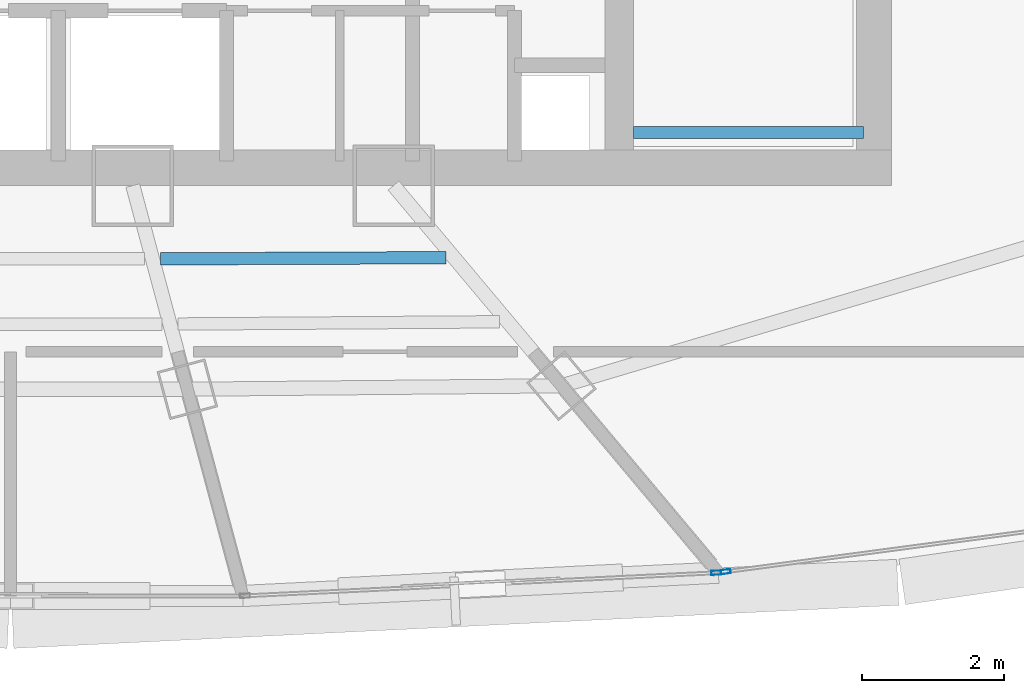
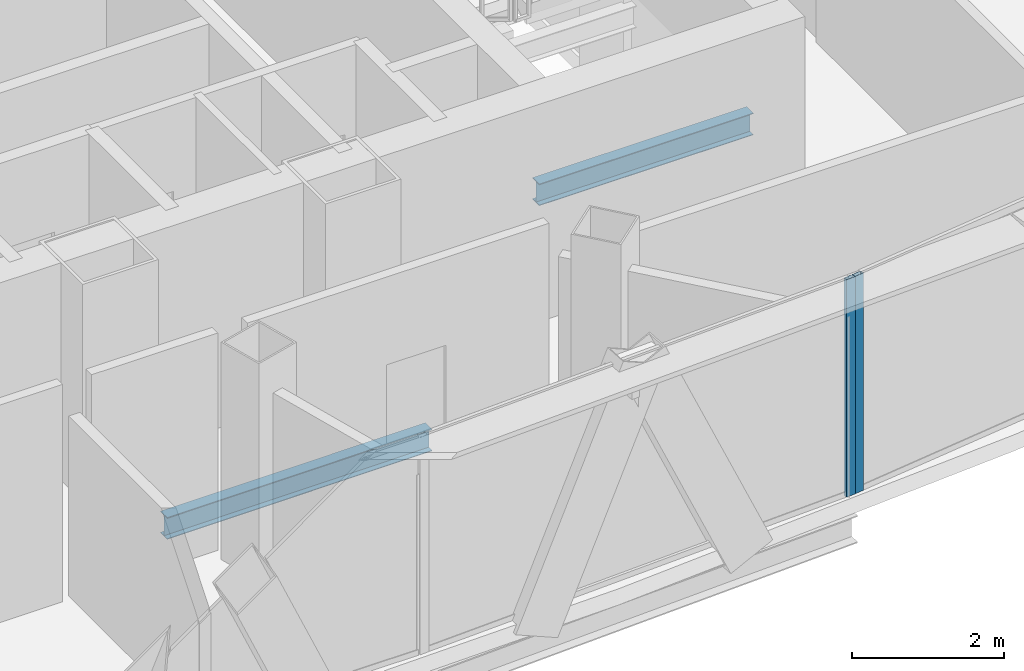
# One storey, part 11 of 26: 2 beams, 2 members, 2 elements without a shape of their own.
"""IFC4 building model written with IfcOpenShell, lengths in metres."""

import ifcopenshell
import ifcopenshell.guid

model = None  # the IFC model being written
_history = None  # IfcOwnerHistory: only IFC2X3 demands one
_inside = {}  # id of a spatial element -> (the spatial element, [elements in it])
_under = {}  # id of a project, library or spatial element -> (it, [spatial elements below it])
_declared = {}  # id of a project -> (the project, [libraries it declares])
_typed = {}  # id of a type object -> (the type object, [elements of that type])
_made_of = {}  # id of a material, layer set ... -> (it, [elements and type objects made of it])


def new_model(schema):
    """Start an empty IFC model of exactly this schema.

    Asked for "IFC4X3", IfcOpenShell would pick the latest addendum, in which some entities
    have other attributes; the version numbers below select the first issue.
    IFC2X3 requires an IfcOwnerHistory on every rooted entity: one is made here for all.
    """
    global model, _history
    if schema == "IFC4X3":
        model = ifcopenshell.file(schema_version=(4, 3, 0, 0))
    else:
        model = ifcopenshell.file(schema=schema)
    _inside.clear()
    _under.clear()
    _declared.clear()
    _typed.clear()
    _made_of.clear()
    _history = None
    if model.schema == "IFC2X3":
        org = make("IfcOrganization", Name="unknown")
        user = make(
            "IfcPersonAndOrganization",
            ThePerson=make("IfcPerson", FamilyName="unknown"),
            TheOrganization=org,
        )
        app = make(
            "IfcApplication",
            ApplicationDeveloper=org,
            Version="unknown",
            ApplicationFullName="unknown",
            ApplicationIdentifier="unknown",
        )
        _history = make(
            "IfcOwnerHistory",
            OwningUser=user,
            OwningApplication=app,
            ChangeAction="ADDED",
            CreationDate=0,
        )
    return model


def make(cls, **values):
    """One entity of the class cls with the attributes given. An attribute that is None is left unset."""
    return model.create_entity(
        cls, **{name: value for name, value in values.items() if value is not None}
    )


def rooted(cls, **values):
    """An entity with a GlobalId (a new one), such as an element, a storey or a relation."""
    return make(cls, GlobalId=ifcopenshell.guid.new(), OwnerHistory=_history, **values)


def si_unit(unit_type, name, prefix=None):
    """IfcSIUnit, for example si_unit("LENGTHUNIT", "METRE", prefix="MILLI")."""
    return make("IfcSIUnit", UnitType=unit_type, Prefix=prefix, Name=name)


def assignment(units):
    """IfcUnitAssignment: the units of a project."""
    return None if units is None else make("IfcUnitAssignment", Units=units)


def point(xyz):
    """IfcCartesianPoint."""
    return None if xyz is None else make("IfcCartesianPoint", Coordinates=xyz)


def direction(xyz):
    """IfcDirection."""
    return None if xyz is None else make("IfcDirection", DirectionRatios=xyz)


def frame(location, z_axis=None, x_axis=None):
    """IfcAxis2Placement3D, a coordinate frame: its origin and axes. An axis left out is left unset."""
    return make(
        "IfcAxis2Placement3D",
        Location=point(location),
        Axis=direction(z_axis),
        RefDirection=direction(x_axis),
    )


def frame_2d(location, x_axis=None):
    """IfcAxis2Placement2D, a coordinate frame in the plane: its origin and x axis."""
    return make(
        "IfcAxis2Placement2D", Location=point(location), RefDirection=direction(x_axis)
    )


def origin():
    """The frame at (0, 0, 0) with its axes left unset."""
    return frame((0.0, 0.0, 0.0))


def origin_2d():
    """The frame at (0, 0) in the plane with its x axis left unset."""
    return frame_2d((0.0, 0.0))


def place(relative_to, where):
    """IfcLocalPlacement: puts the frame where relative to a parent placement (None: the world)."""
    return make(
        "IfcLocalPlacement", PlacementRelTo=relative_to, RelativePlacement=where
    )


def context(
    kind, dimensions, precision=None, world=None, true_north=None, identifier=None
):
    """IfcGeometricRepresentationContext, for example the 3D "Model" context."""
    return make(
        "IfcGeometricRepresentationContext",
        ContextIdentifier=identifier,
        ContextType=kind,
        CoordinateSpaceDimension=dimensions,
        Precision=precision,
        WorldCoordinateSystem=world,
        TrueNorth=true_north,
    )


def subcontext(parent, identifier, kind, view, scale=None):
    """IfcGeometricRepresentationSubContext, for example "Body" below "Model"."""
    return make(
        "IfcGeometricRepresentationSubContext",
        ContextIdentifier=identifier,
        ContextType=kind,
        ParentContext=parent,
        TargetScale=scale,
        TargetView=view,
    )


def project(units=None, contexts=None):
    """IfcProject with its units and contexts."""
    return rooted(
        "IfcProject",
        Name="project",
        RepresentationContexts=contexts,
        UnitsInContext=assignment(units),
    )


def spatial(cls, under=None, at=None, **own):
    """A site, building, storey or space (cls), placed at a placement, below another one or the project."""
    s = rooted(cls, ObjectPlacement=at, **own)
    if under is not None:
        _under.setdefault(under.id(), (under, []))[1].append(s)
    return s


def profile(cls, at=None, kind="AREA", **sizes):
    """A parametric profile (cls). Its sizes go by their IFC names, for example OverallWidth=200.0."""
    return make(cls, ProfileType=kind, Position=at, **sizes)


def hollow_rectangle(**sizes):
    """IfcRectangleHollowProfileDef."""
    return profile("IfcRectangleHollowProfileDef", **sizes)


def i_section(**sizes):
    """IfcIShapeProfileDef."""
    return profile("IfcIShapeProfileDef", **sizes)


def extrude(swept, where, along, depth):
    """IfcExtrudedAreaSolid: the profile swept, set in the frame where, extruded along a direction by depth."""
    return make(
        "IfcExtrudedAreaSolid",
        SweptArea=swept,
        Position=where,
        ExtrudedDirection=direction(along),
        Depth=depth,
    )


def shape(context_of_items, identifier, shape_type, items):
    """IfcShapeRepresentation: the items that make up one representation, for example the "Body"."""
    return make(
        "IfcShapeRepresentation",
        ContextOfItems=context_of_items,
        RepresentationIdentifier=identifier,
        RepresentationType=shape_type,
        Items=items,
    )


def source(mapping_origin, context_of_items, identifier, shape_type, items):
    """IfcRepresentationMap: a shape defined once, which mapped items show again and again."""
    return make(
        "IfcRepresentationMap",
        MappingOrigin=mapping_origin,
        MappedRepresentation=shape(context_of_items, identifier, shape_type, items),
    )


def transform(
    local_origin,
    x_axis=None,
    y_axis=None,
    z_axis=None,
    scale=None,
    scale2=None,
    scale3=None,
    uniform=True,
):
    """IfcCartesianTransformationOperator3D, or its non-uniform kind. x_axis, y_axis, z_axis: its Axis1, 2, 3."""
    if uniform:
        return make(
            "IfcCartesianTransformationOperator3D",
            Axis1=direction(x_axis),
            Axis2=direction(y_axis),
            LocalOrigin=point(local_origin),
            Scale=scale,
            Axis3=direction(z_axis),
        )
    return make(
        "IfcCartesianTransformationOperator3DnonUniform",
        Axis1=direction(x_axis),
        Axis2=direction(y_axis),
        LocalOrigin=point(local_origin),
        Scale=scale,
        Axis3=direction(z_axis),
        Scale2=scale2,
        Scale3=scale3,
    )


def mapped(mapping_source, mapping_target):
    """IfcMappedItem: shows the shape of a source again, moved by a transform."""
    return make(
        "IfcMappedItem", MappingSource=mapping_source, MappingTarget=mapping_target
    )


def material(Name=None, Category=None):
    """IfcMaterial."""
    return make("IfcMaterial", Name=Name, Category=Category)


def layer(
    of_material, thickness, ventilated=None, Name=None, Category=None, Priority=None
):
    """IfcMaterialLayer: one layer of a wall or slab, of a material (None: an air gap)."""
    return make(
        "IfcMaterialLayer",
        Material=of_material,
        LayerThickness=thickness,
        IsVentilated=ventilated,
        Name=Name,
        Category=Category,
        Priority=Priority,
    )


def layer_set(layers, Name=None):
    """IfcMaterialLayerSet."""
    return make("IfcMaterialLayerSet", MaterialLayers=layers, LayerSetName=Name)


def material_profile(
    of_material, cross_section, Name=None, Category=None, Priority=None
):
    """IfcMaterialProfile: a cross section and its material."""
    return make(
        "IfcMaterialProfile",
        Name=Name,
        Material=of_material,
        Profile=cross_section,
        Priority=Priority,
        Category=Category,
    )


def profile_set(profiles, Name=None, composite=None):
    """IfcMaterialProfileSet."""
    return make(
        "IfcMaterialProfileSet",
        Name=Name,
        MaterialProfiles=profiles,
        CompositeProfile=composite,
    )


def made_of(thing, what):
    """Note that an element or type object is made of a material, layer set ...; save() writes the relation."""
    if what is not None:
        _made_of.setdefault(what.id(), (what, []))[1].append(thing)
    return thing


def type_object(cls, material=None, **own):
    """A type object (cls), such as IfcWallType, which elements share."""
    return made_of(rooted(cls, **own), material)


def element(
    cls,
    number,
    at=None,
    inside=None,
    cuts=None,
    type_object=None,
    material=None,
    context=None,
    identifier="Body",
    shape_type=None,
    held_by="IfcProductDefinitionShape",
    body=None,
    shapes=None,
    **own,
):
    """One element of the class cls, such as IfcWall. Its Tag is "e" and its number.

    at: its placement. inside: the storey or other place that contains it. cuts: it is an
    opening in that element (IfcRelVoidsElement). A single representation is given by context,
    identifier, shape_type and body (its items); several are given by shapes. held_by: the class
    of the entity that holds the representations. save() writes the other relations.
    """
    e = rooted(cls, Tag="e%d" % number, ObjectPlacement=at, **own)
    if body is not None:
        shapes = [shape(context, identifier, shape_type, body)]
    if shapes is not None:
        e.Representation = make(held_by, Representations=shapes)
    if inside is not None:
        _inside.setdefault(inside.id(), (inside, []))[1].append(e)
    if cuts is not None:
        rooted(
            "IfcRelVoidsElement", RelatingBuildingElement=cuts, RelatedOpeningElement=e
        )
    if type_object is not None:
        _typed.setdefault(type_object.id(), (type_object, []))[1].append(e)
    return made_of(e, material)


def aggregate(whole, parts):
    """IfcRelAggregates: a whole, such as a stair, and the parts it consists of."""
    return rooted("IfcRelAggregates", RelatingObject=whole, RelatedObjects=parts)


def save(model, path):
    """Write the relations noted so far, then the file.

    IfcRelAggregates (storeys below a building ...), IfcRelContainedInSpatialStructure (elements
    in a storey), IfcRelDefinesByType, IfcRelAssociatesMaterial and IfcRelDeclares: one each for
    every whole, place, type object, material and project.
    """
    for whole, parts in _under.values():
        aggregate(whole, parts)
    for where, things in _inside.values():
        rooted(
            "IfcRelContainedInSpatialStructure",
            RelatedElements=things,
            RelatingStructure=where,
        )
    for kind, things in _typed.values():
        rooted("IfcRelDefinesByType", RelatedObjects=things, RelatingType=kind)
    for what, things in _made_of.values():
        rooted("IfcRelAssociatesMaterial", RelatedObjects=things, RelatingMaterial=what)
    for by, libraries in _declared.values():
        rooted("IfcRelDeclares", RelatingContext=by, RelatedDefinitions=libraries)
    model.write(path)


model = new_model("IFC4")

# Units and contexts
model_context = context("Model", 3, precision=1e-05, world=origin(), true_north=direction((0.0, 1.0)))
body_context = subcontext(model_context, "Body", "Model", "MODEL_VIEW")
ifc_project = project(units=[si_unit("LENGTHUNIT", "METRE"), si_unit("AREAUNIT", "SQUARE_METRE"), si_unit("VOLUMEUNIT", "CUBIC_METRE"), si_unit("PLANEANGLEUNIT", "RADIAN"), si_unit("MASSUNIT", "GRAM", prefix="KILO"), si_unit("THERMODYNAMICTEMPERATUREUNIT", "KELVIN"), si_unit("POWERUNIT", "WATT")], contexts=[model_context])

# Site, building, storey
site_placement = place(None, origin())
site = spatial("IfcSite", under=ifc_project, at=site_placement, CompositionType="ELEMENT")
building_placement = place(site_placement, origin())
building = spatial("IfcBuilding", under=site, at=building_placement, Name="Yunzhuo Pagoda Commons", CompositionType="ELEMENT")
storey_placement = place(building_placement, frame((0.0, 0.0, 340.510009765625)))
storey = spatial("IfcBuildingStorey", under=building, at=storey_placement, Name="L85", CompositionType="ELEMENT", Elevation=340.510009765625)

# Beams
ifc_material_1 = material(Name="Structural steel Q355B", Category="steel")
ifc_material_profile_1 = material_profile(ifc_material_1, i_section(OverallWidth=0.175048828125, OverallDepth=0.35009765625, WebThickness=0.007080078125, FlangeThickness=0.010986328125, at=origin_2d()), Name="Structural steel Q355B")
ifc_profile_set_1 = profile_set([ifc_material_profile_1], Name="Structural steel Q355B")
beam_type = type_object("IfcBeamType", Name="B-JS2 Joist HN 350x175x7x11", PredefinedType="JOIST", material=ifc_profile_set_1)
shared_shape_1 = source(origin(), body_context, "Body", "SweptSolid", [
    extrude(i_section(OverallWidth=0.175048828125, OverallDepth=0.35009765625, WebThickness=0.007080078125, FlangeThickness=0.010986328125, at=origin_2d()), origin(), (0.0, 0.0, 1.0), 3.25),
])
beam_1_placement = place(storey_placement, frame((56.800048828125, 28.0, 1.5), z_axis=(1.0, 0.0, 0.0), x_axis=(0.0, 1.0, 0.0)))
element("IfcBeam", 1, at=beam_1_placement, inside=storey, type_object=beam_type, Name="L85 ST2 landing support beam 91A", PredefinedType="JOIST", context=body_context, shape_type="MappedRepresentation", body=[
    mapped(shared_shape_1, transform((0.0, 0.0, 0.0), scale=1.0)),
])
shared_shape_2 = source(origin(), body_context, "Body", "SweptSolid", [
    extrude(i_section(OverallWidth=0.175048828125, OverallDepth=0.35009765625, WebThickness=0.007080078125, FlangeThickness=0.010986328125, at=origin_2d()), origin(), (0.0, 0.0, 1.0), 4.03076171875),
])
beam_2_placement = place(storey_placement, frame((50.120849609375, 26.214599609375, -0.43505859375), z_axis=(0.999991518197, 0.004118680996, 0.0), x_axis=(-0.004118680996, 0.999991518197, 0.0)))
element("IfcBeam", 2, at=beam_2_placement, inside=storey, type_object=beam_type, Name="L85 composite ring joist 1.3", PredefinedType="JOIST", context=body_context, shape_type="MappedRepresentation", body=[
    mapped(shared_shape_2, transform((0.0, 0.0, 0.0), scale=1.0)),
])

# Curtain wall, member
ifc_material_2 = material(Name="Anodized aluminium 6063-T6", Category="aluminium")
ifc_layer = layer(ifc_material_2, 0.139892578125)
ifc_layer_set = layer_set([ifc_layer], Name="Anodized aluminium 6063-T6")
curtain_wall_type = type_object("IfcCurtainWallType", Name="CW-HI High-Zone Ribbon Curtain Wall", PredefinedType="NOTDEFINED", material=ifc_layer_set)
curtain_wall_1_placement = place(storey_placement, origin())
curtain_wall_1 = element("IfcCurtainWall", 3, at=curtain_wall_1_placement, inside=storey, type_object=curtain_wall_type, Name="L85 curtain wall CW-L85-F1B4", PredefinedType="NOTDEFINED")
ifc_material_profile_2 = material_profile(ifc_material_2, hollow_rectangle(XDim=0.06005859375, YDim=0.139892578125, WallThickness=0.00341796875, at=origin_2d()), Name="Anodized aluminium 6063-T6")
ifc_profile_set_2 = profile_set([ifc_material_profile_2], Name="Anodized aluminium 6063-T6")
member_type = type_object("IfcMemberType", Name="CW-HI-M Mullion RHS 140x60x3.5", PredefinedType="MULLION", material=ifc_profile_set_2)
shared_shape_3 = source(origin(), body_context, "Body", "SweptSolid", [
    extrude(hollow_rectangle(XDim=0.06005859375, YDim=0.139892578125, WallThickness=0.00341796875, at=origin_2d()), origin(), (0.0, 0.0, 1.0), 3.489990234375),
])
member_1_placement = place(storey_placement, frame((57.970947265625, 21.780029296875, 0.0), z_axis=(0.0, 0.0, 1.0), x_axis=(-0.048905572213, 0.998803406585, 0.0)))
member_1 = element("IfcMember", 4, at=member_1_placement, type_object=member_type, Name="CW mullion 2", PredefinedType="MULLION", context=body_context, shape_type="MappedRepresentation", body=[
    mapped(shared_shape_3, transform((0.0, 0.0, 0.0), scale=1.0)),
])
aggregate(curtain_wall_1, [member_1])

curtain_wall_2_placement = place(storey_placement, origin())
curtain_wall_2 = element("IfcCurtainWall", 5, at=curtain_wall_2_placement, inside=storey, type_object=curtain_wall_type, Name="L85 curtain wall CW-L85-F1B5", PredefinedType="NOTDEFINED")
member_2_placement = place(storey_placement, frame((58.105224609375, 21.795166015625, 0.0), z_axis=(0.0, 0.0, 1.0), x_axis=(-0.132068741636, 0.991240559845, 0.0)))
member_2 = element("IfcMember", 6, at=member_2_placement, type_object=member_type, Name="CW mullion 1", PredefinedType="MULLION", context=body_context, shape_type="MappedRepresentation", body=[
    mapped(shared_shape_3, transform((0.0, 0.0, 0.0), scale=1.0)),
])
aggregate(curtain_wall_2, [member_2])

save(model, "model.ifc")
